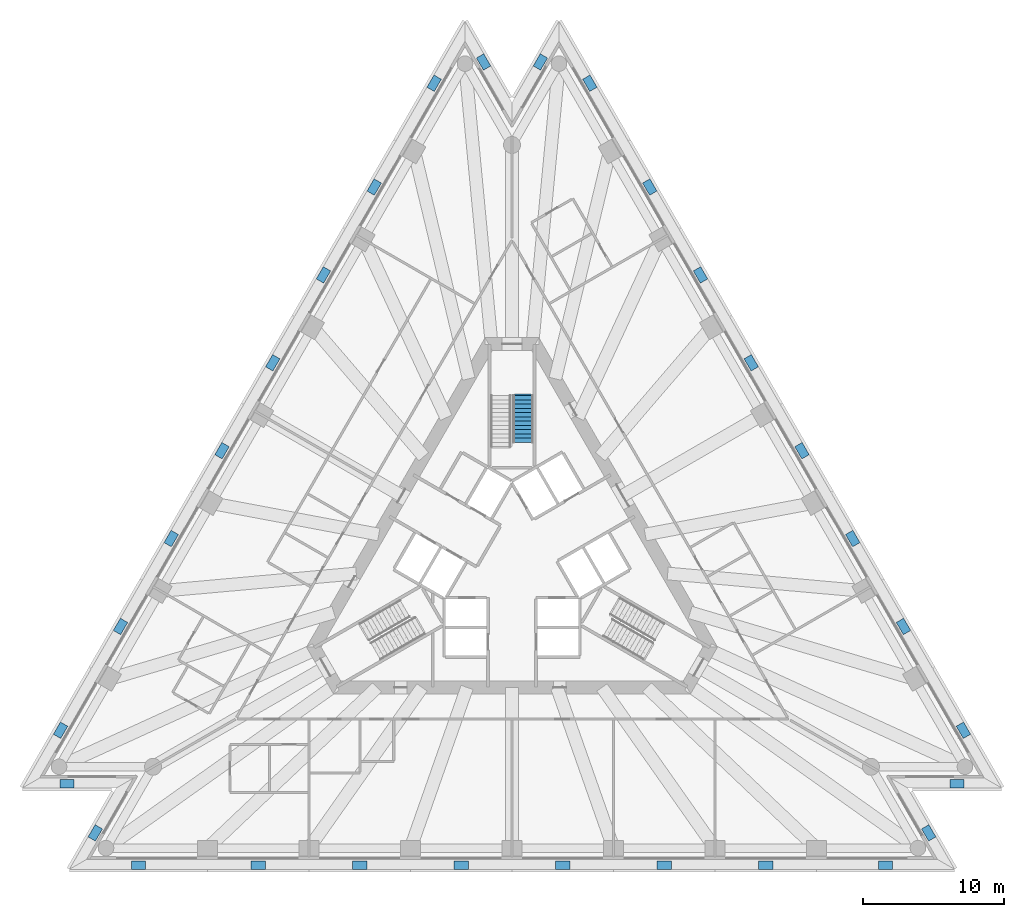
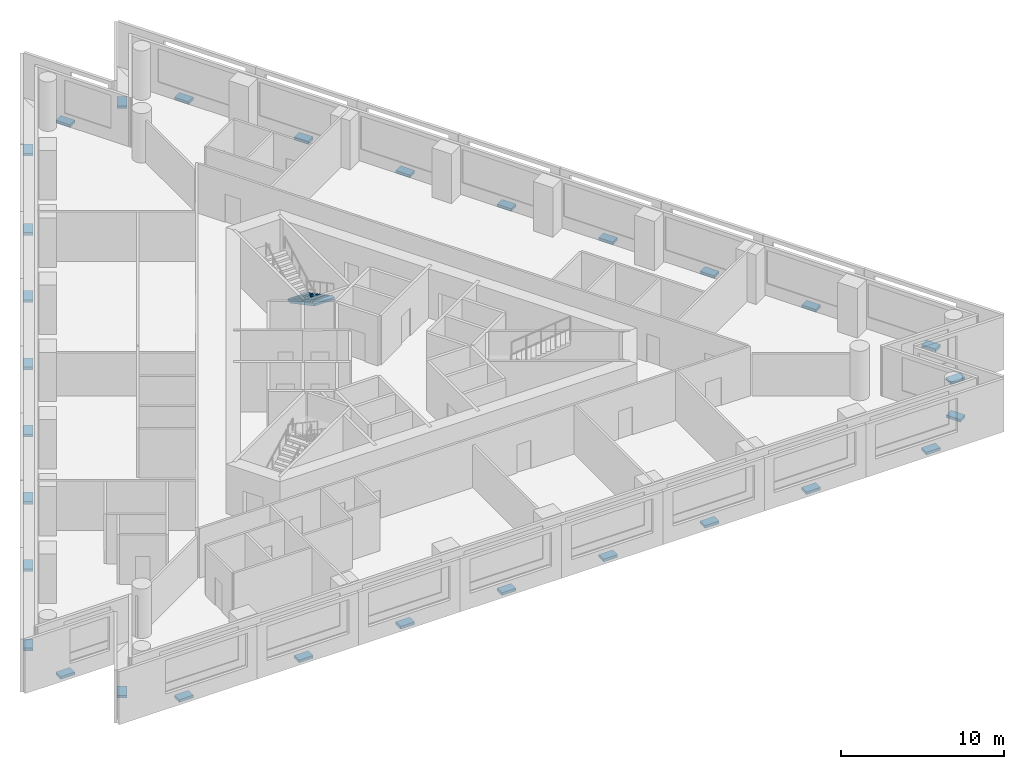
# One storey, part 9 of 11: 30 discrete accessories, 1 stair flight, 1 element without a shape of its own.
"""IFC4 building model written with IfcOpenShell, lengths in metres."""

from ifc_helpers import new_model, si_unit, direction, frame, origin, origin_2d, place, context, subcontext, project, spatial, polyline, rectangle, outline, extrude, material, type_object, element, aggregate, save


model = new_model("IFC4")

# Units and contexts
model_context = context("Model", 3, precision=1e-05, world=origin(), true_north=direction((0.0, 1.0)))
body_context = subcontext(model_context, "Body", "Model", "MODEL_VIEW")
ifc_project = project(units=[si_unit("LENGTHUNIT", "METRE"), si_unit("AREAUNIT", "SQUARE_METRE"), si_unit("VOLUMEUNIT", "CUBIC_METRE"), si_unit("PLANEANGLEUNIT", "RADIAN"), si_unit("MASSUNIT", "GRAM", prefix="KILO")], contexts=[model_context])

# Site, building, storey
site_placement = place(None, origin())
site = spatial("IfcSite", under=ifc_project, at=site_placement, CompositionType="ELEMENT")
building_placement = place(site_placement, origin())
building = spatial("IfcBuilding", under=site, at=building_placement, Name="Triada Interchange Tower", CompositionType="ELEMENT")
storey_placement = place(building_placement, frame((0.0, 0.0, 91.300048828125)))
storey = spatial("IfcBuildingStorey", under=building, at=storey_placement, Name="L20", CompositionType="ELEMENT", Elevation=91.300048828125)

# Stair, stair flight
ifc_material_1 = material(Name="Concrete C35/45", Category="concrete")
stair_type = type_object("IfcStairType", Name="HALF TURN STAIR 1400", PredefinedType="HALF_TURN_STAIR", material=ifc_material_1)
stair_placement = place(storey_placement, origin())
stair = element("IfcStair", 1, at=stair_placement, inside=storey, type_object=stair_type, Name="Exit stair S18-1", PredefinedType="HALF_TURN_STAIR")
stair_flight_type = type_object("IfcStairFlightType", Name="STRAIGHT STAIR FLIGHT 1400", PredefinedType="STRAIGHT", material=ifc_material_1)
stair_flight_placement = place(storey_placement, frame((0.800048828125, 11.60009765625, 0.0), z_axis=(0.0, 0.0, 1.0), x_axis=(0.0, -1.0, 0.0)))
stair_flight = element("IfcStairFlight", 2, at=stair_flight_placement, type_object=stair_flight_type, Name="S18-1 flight 1", NumberOfRisers=12, NumberOfTreads=11, PredefinedType="STRAIGHT", RiserHeight=0.16, TreadLength=0.3, context=body_context, shape_type="SweptSolid", body=[
    extrude(outline(polyline([(-0.10009765625, 0.0), (-0.10009765625, 0.02001953125), (0.0, 0.02001953125), (0.0, 0.159912109375), (0.300048828125, 0.159912109375), (0.300048828125, 0.320068359375), (0.60009765625, 0.320068359375), (0.60009765625, 0.47998046875), (0.89990234375, 0.47998046875), (0.89990234375, 0.639892578125), (1.199951171875, 0.639892578125), (1.199951171875, 0.800048828125), (1.5, 0.800048828125), (1.5, 0.9599609375), (1.800048828125, 0.9599609375), (1.800048828125, 1.1201171875), (2.10009765625, 1.1201171875), (2.10009765625, 1.280029296875), (2.39990234375, 1.280029296875), (2.39990234375, 1.43994140625), (2.699951171875, 1.43994140625), (2.699951171875, 1.60009765625), (3.0, 1.60009765625), (3.0, 1.760009765625), (3.300048828125, 1.760009765625), (3.303955078125, 1.760009765625), (3.303955078125, 1.919921875), (3.303955078125, 1.590087890625), (0.318603515625, 0.0), (-0.10009765625, 0.0)])), frame((0.0, 0.699951171875, 0.0), z_axis=(0.0, -1.0, 0.0), x_axis=(1.0, 0.0, 0.0)), (0.0, 0.0, 1.0), 0.46533203125),
    extrude(outline(polyline([(-0.10009765625, 0.0), (-0.10009765625, 0.02001953125), (0.0, 0.02001953125), (0.0, 0.159912109375), (0.300048828125, 0.159912109375), (0.300048828125, 0.320068359375), (0.60009765625, 0.320068359375), (0.60009765625, 0.47998046875), (0.89990234375, 0.47998046875), (0.89990234375, 0.639892578125), (1.199951171875, 0.639892578125), (1.199951171875, 0.800048828125), (1.5, 0.800048828125), (1.5, 0.9599609375), (1.800048828125, 0.9599609375), (1.800048828125, 1.1201171875), (2.10009765625, 1.1201171875), (2.10009765625, 1.280029296875), (2.39990234375, 1.280029296875), (2.39990234375, 1.43994140625), (2.699951171875, 1.43994140625), (2.699951171875, 1.60009765625), (3.0, 1.60009765625), (3.0, 1.760009765625), (3.300048828125, 1.760009765625), (3.303955078125, 1.760009765625), (3.303955078125, 1.919921875), (3.303955078125, 1.590087890625), (0.318603515625, 0.0), (-0.10009765625, 0.0)])), frame((0.0, 0.232666015625, 0.0), z_axis=(0.0, -1.0, 0.0), x_axis=(1.0, 0.0, 0.0)), (0.0, 0.0, 1.0), 0.46533203125),
    extrude(outline(polyline([(-0.10009765625, 0.0), (-0.10009765625, 0.02001953125), (0.0, 0.02001953125), (0.0, 0.159912109375), (0.300048828125, 0.159912109375), (0.300048828125, 0.320068359375), (0.60009765625, 0.320068359375), (0.60009765625, 0.47998046875), (0.89990234375, 0.47998046875), (0.89990234375, 0.639892578125), (1.199951171875, 0.639892578125), (1.199951171875, 0.800048828125), (1.5, 0.800048828125), (1.5, 0.9599609375), (1.800048828125, 0.9599609375), (1.800048828125, 1.1201171875), (2.10009765625, 1.1201171875), (2.10009765625, 1.280029296875), (2.39990234375, 1.280029296875), (2.39990234375, 1.43994140625), (2.699951171875, 1.43994140625), (2.699951171875, 1.60009765625), (3.0, 1.60009765625), (3.0, 1.760009765625), (3.300048828125, 1.760009765625), (3.303955078125, 1.760009765625), (3.303955078125, 1.919921875), (3.303955078125, 1.590087890625), (0.318603515625, 0.0), (-0.10009765625, 0.0)])), frame((0.0, -0.234619140625, 0.0), z_axis=(0.0, -1.0, 0.0), x_axis=(1.0, 0.0, 0.0)), (0.0, 0.0, 1.0), 0.46533203125),
])
aggregate(stair, [stair_flight])

# Discrete accessories
ifc_material_2 = material(Name="Steel S355", Category="steel")
discrete_accessory_type = type_object("IfcDiscreteAccessoryType", Name="Steel bracket outer skin", PredefinedType="BRACKET", material=ifc_material_2)
for number, where, z_axis, x_axis, name in (
    (3, (-5.510986328125, 33.712890625, -0.27001953125), (0.0, 0.0, 1.0), (-0.866025342698, 0.500000105805, 0.0), "Bracket L20 01"),
    (4, (-9.751953125, 26.366943359375, -0.27001953125), (0.0, 0.0, 1.0), (-0.866025342698, 0.500000105805, 0.0), "Bracket L20 02"),
    (5, (-13.343994140625, 20.14599609375, -0.27001953125), (0.0, 0.0, 1.0), (-0.866025342698, 0.500000105805, 0.0), "Bracket L20 03"),
    (6, (-16.93505859375, 13.925048828125, -0.27001953125), (0.0, 0.0, 1.0), (-0.866025342698, 0.500000105805, 0.0), "Bracket L20 04"),
    (7, (-20.527099609375, 7.7041015625, -0.27001953125), (0.0, 0.0, 1.0), (-0.866025342698, 0.500000105805, 0.0), "Bracket L20 05"),
    (8, (-24.118896484375, 1.48291015625, -0.27001953125), (0.0, 0.0, 1.0), (-0.866025342698, 0.500000105805, 0.0), "Bracket L20 06"),
    (9, (-27.7109375, -4.738037109375, -0.27001953125), (0.0, 0.0, 1.0), (-0.866025342698, 0.500000105805, 0.0), "Bracket L20 07"),
    (10, (-31.951904296875, -12.083984375, -0.27001953125), (0.0, 0.0, 1.0), (-0.866025342698, 0.500000105805, 0.0), "Bracket L20 08"),
    (11, (-31.5048828125, -15.8701171875, -0.27001953125), (0.0, 0.0, 1.0), (0.0, -1.0, 0.0), "Bracket L20 09"),
    (12, (-29.4970703125, -19.35009765625, -0.27001953125), (0.0, 0.0, 1.0), (-0.866022811959, 0.500004489147, 0.0), "Bracket L20 10"),
    (13, (-26.44091796875, -21.62890625, -0.27001953125), (0.0, 0.0, 1.0), (0.0, -1.0, 0.0), "Bracket L20 11"),
    (14, (-17.958984375, -21.62890625, -0.27001953125), (0.0, 0.0, 1.0), (0.0, -1.0, 0.0), "Bracket L20 12"),
    (15, (-10.77490234375, -21.62890625, -0.27001953125), (0.0, 0.0, 1.0), (0.0, -1.0, 0.0), "Bracket L20 13"),
    (16, (-3.592041015625, -21.62890625, -0.27001953125), (0.0, 0.0, 1.0), (0.0, -1.0, 0.0), "Bracket L20 14"),
    (17, (3.592041015625, -21.62890625, -0.27001953125), (0.0, 0.0, 1.0), (0.0, -1.0, 0.0), "Bracket L20 15"),
    (18, (10.77490234375, -21.62890625, -0.27001953125), (0.0, 0.0, 1.0), (0.0, -1.0, 0.0), "Bracket L20 16"),
    (19, (17.958984375, -21.62890625, -0.27001953125), (0.0, 0.0, 1.0), (0.0, -1.0, 0.0), "Bracket L20 17"),
    (20, (26.44091796875, -21.62890625, -0.27001953125), (0.0, 0.0, 1.0), (0.0, -1.0, 0.0), "Bracket L20 18"),
    (21, (29.4970703125, -19.35009765625, -0.27001953125), (0.0, 0.0, 1.0), (0.866022811959, 0.500004489147, 0.0), "Bracket L20 19"),
    (22, (31.5048828125, -15.8701171875, -0.27001953125), (0.0, 0.0, 1.0), (0.0, -1.0, 0.0), "Bracket L20 20"),
    (23, (31.951904296875, -12.083984375, -0.27001953125), (0.0, 0.0, 1.0), (0.866025342698, 0.500000105805, 0.0), "Bracket L20 21"),
    (24, (27.7109375, -4.738037109375, -0.27001953125), (0.0, 0.0, 1.0), (0.866025342698, 0.500000105805, 0.0), "Bracket L20 22"),
    (25, (24.118896484375, 1.48291015625, -0.27001953125), (0.0, 0.0, 1.0), (0.866025342698, 0.500000105805, 0.0), "Bracket L20 23"),
    (26, (20.527099609375, 7.7041015625, -0.27001953125), (0.0, 0.0, 1.0), (0.866025342698, 0.500000105805, 0.0), "Bracket L20 24"),
    (27, (16.93505859375, 13.925048828125, -0.27001953125), (0.0, 0.0, 1.0), (0.866025342698, 0.500000105805, 0.0), "Bracket L20 25"),
    (28, (13.343994140625, 20.14599609375, -0.27001953125), (0.0, 0.0, 1.0), (0.866025342698, 0.500000105805, 0.0), "Bracket L20 26"),
    (29, (9.751953125, 26.366943359375, -0.27001953125), (0.0, 0.0, 1.0), (0.866025342698, 0.500000105805, 0.0), "Bracket L20 27"),
    (30, (5.510986328125, 33.712890625, -0.27001953125), (0.0, 0.0, 1.0), (0.866025342698, 0.500000105805, 0.0), "Bracket L20 28"),
    (31, (2.009033203125, 35.218994140625, -0.27001953125), (0.0, 0.0, 1.0), (-0.866022811959, 0.500004489147, 0.0), "Bracket L20 29"),
    (32, (-2.009033203125, 35.218994140625, -0.27001953125), (0.0, 0.0, 1.0), (0.866022811959, 0.500004489147, 0.0), "Bracket L20 30"),
):
    element("IfcDiscreteAccessory", number, at=place(storey_placement, frame(where, z_axis=z_axis, x_axis=x_axis)), inside=storey, type_object=discrete_accessory_type, Name=name, PredefinedType="BRACKET", context=body_context, shape_type="SweptSolid", body=[
        extrude(rectangle(XDim=0.60009765625, YDim=1.0, at=origin_2d()), origin(), (0.0, 0.0, 1.0), 0.199951171875),
    ])

save(model, "model.ifc")
